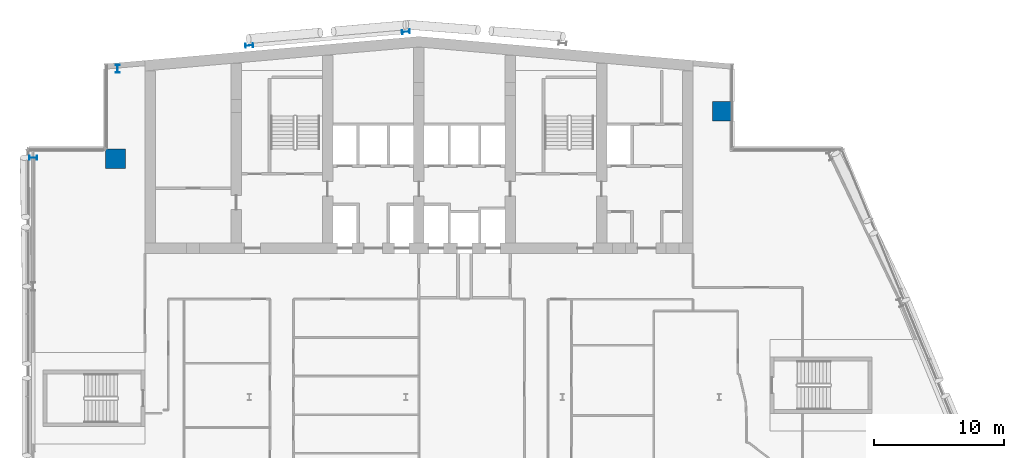
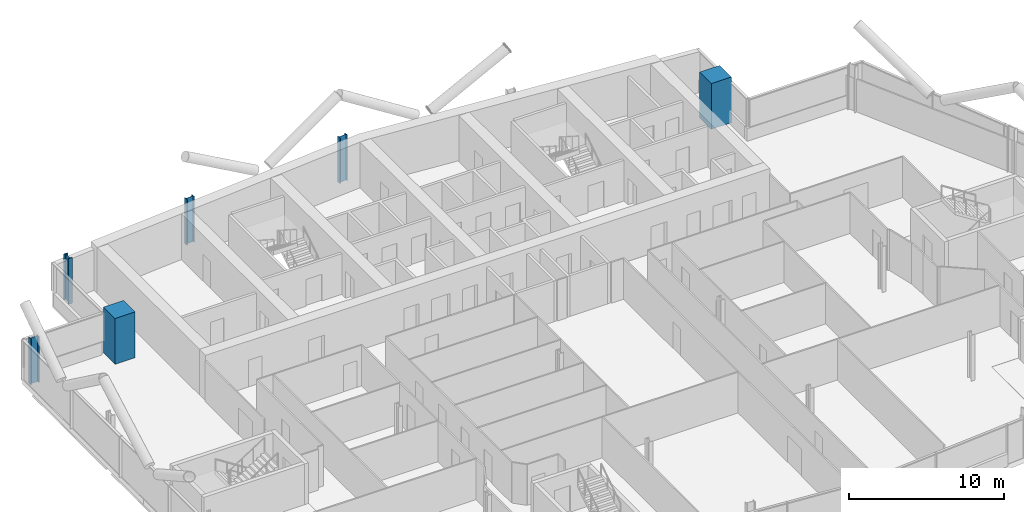
# One storey, part 3 of 26: 6 columns.
"""IFC4 building model written with IfcOpenShell, lengths in metres."""

from ifc_helpers import new_model, si_unit, direction, frame, origin, origin_2d, place, context, subcontext, project, spatial, rectangle, i_section, extrude, material, material_profile, profile_set, type_object, element, save


model = new_model("IFC4")

# Units and contexts
model_context = context("Model", 3, precision=1e-05, world=origin(), true_north=direction((0.0, 1.0)))
body_context = subcontext(model_context, "Body", "Model", "MODEL_VIEW")
ifc_project = project(units=[si_unit("LENGTHUNIT", "METRE"), si_unit("AREAUNIT", "SQUARE_METRE"), si_unit("VOLUMEUNIT", "CUBIC_METRE"), si_unit("PLANEANGLEUNIT", "RADIAN"), si_unit("MASSUNIT", "GRAM", prefix="KILO")], contexts=[model_context])

# Site, building, storey
site_placement = place(None, origin())
site = spatial("IfcSite", under=ifc_project, at=site_placement, CompositionType="ELEMENT")
building_placement = place(site_placement, origin())
building = spatial("IfcBuilding", under=site, at=building_placement, Name="Wharfspan Tower", CompositionType="ELEMENT")
storey_placement = place(building_placement, frame((0.0, 0.0, 173.5)))
storey = spatial("IfcBuildingStorey", under=building, at=storey_placement, Name="L42", CompositionType="ELEMENT", Elevation=173.5)

# Columns
ifc_material_1 = material(Name="Steel S355J2", Category="steel")
ifc_material_profile_1 = material_profile(ifc_material_1, i_section(OverallWidth=0.300049, OverallDepth=0.600098, WebThickness=0.015381, FlangeThickness=0.030029, FilletRadius=0.0271, at=origin_2d()))
ifc_profile_set_1 = profile_set([ifc_material_profile_1], Name="Steel S355J2")
column_type_1 = type_object("IfcColumnType", Name="Column HEB 600", PredefinedType="COLUMN", material=ifc_profile_set_1)
for number, where, z_axis, x_axis, name in (
    (1, (24.0, 49.937256, 0.0), (0.0, 0.0, 1.0), (-0.087156, 0.996198, 0.0), "Rear column R.1 L42"),
    (2, (36.0, 50.987061, 0.0), (0.0, 0.0, 1.0), (-0.087156, 0.996198, 0.0), "Rear column R.2 L42"),
):
    element("IfcColumn", number, at=place(storey_placement, frame(where, z_axis=z_axis, x_axis=x_axis)), inside=storey, type_object=column_type_1, Name=name, PredefinedType="COLUMN", context=body_context, shape_type="SweptSolid", body=[
        extrude(i_section(OverallWidth=0.300049, OverallDepth=0.600098, WebThickness=0.015381, FlangeThickness=0.030029, FilletRadius=0.0271, at=origin_2d()), origin(), (0.0, 0.0, 1.0), 3.600098),
    ])
ifc_material_profile_2 = material_profile(ifc_material_1, i_section(OverallWidth=0.304932, OverallDepth=0.620117, WebThickness=0.020996, FlangeThickness=0.040039, FilletRadius=0.0271, at=origin_2d()))
ifc_profile_set_2 = profile_set([ifc_material_profile_2], Name="Steel S355J2")
column_type_2 = type_object("IfcColumnType", Name="Column HEM 600", PredefinedType="COLUMN", material=ifc_profile_set_2)
for number, where, z_axis, x_axis, name in (
    (3, (13.911133, 48.141113, 0.0), (0.0, 0.0, 1.0), (-1.0, 0.0, 0.0), "Perimeter column PNRW-V.1 L42"),
    (4, (7.450439, 41.333008, 0.0), (0.0, 0.0, 1.0), (0.0, 1.0, 0.0), "Perimeter column PNRW-H.1 L42"),
):
    element("IfcColumn", number, at=place(storey_placement, frame(where, z_axis=z_axis, x_axis=x_axis)), inside=storey, type_object=column_type_2, Name=name, PredefinedType="COLUMN", context=body_context, shape_type="SweptSolid", body=[
        extrude(i_section(OverallWidth=0.304932, OverallDepth=0.620117, WebThickness=0.020996, FlangeThickness=0.040039, FilletRadius=0.0271, at=origin_2d()), origin(), (0.0, 0.0, 1.0), 3.600098),
    ])
ifc_material_2 = material(Name="Concrete C60/75", Category="concrete")
ifc_material_profile_3 = material_profile(ifc_material_2, rectangle(XDim=1.5, YDim=1.5, at=origin_2d()))
ifc_profile_set_3 = profile_set([ifc_material_profile_3], Name="Concrete C60/75")
column_type_3 = type_object("IfcColumnType", Name="Mega column 1500 C60/75", PredefinedType="COLUMN", material=ifc_profile_set_3)
for number, where, z_axis, x_axis, name in (
    (5, (13.75, 41.25, 0.0), (0.0, 0.0, 1.0), (1.0, 0.0, 0.0), "Mega column MC2 L42"),
    (6, (60.25, 44.899902, 0.0), (0.0, 0.0, 1.0), (1.0, 0.0, 0.0), "Mega column MC3 L42"),
):
    element("IfcColumn", number, at=place(storey_placement, frame(where, z_axis=z_axis, x_axis=x_axis)), inside=storey, type_object=column_type_3, Name=name, PredefinedType="COLUMN", context=body_context, shape_type="SweptSolid", body=[
        extrude(rectangle(XDim=1.5, YDim=1.5, at=origin_2d()), origin(), (0.0, 0.0, 1.0), 3.600098),
    ])

save(model, "model.ifc")
